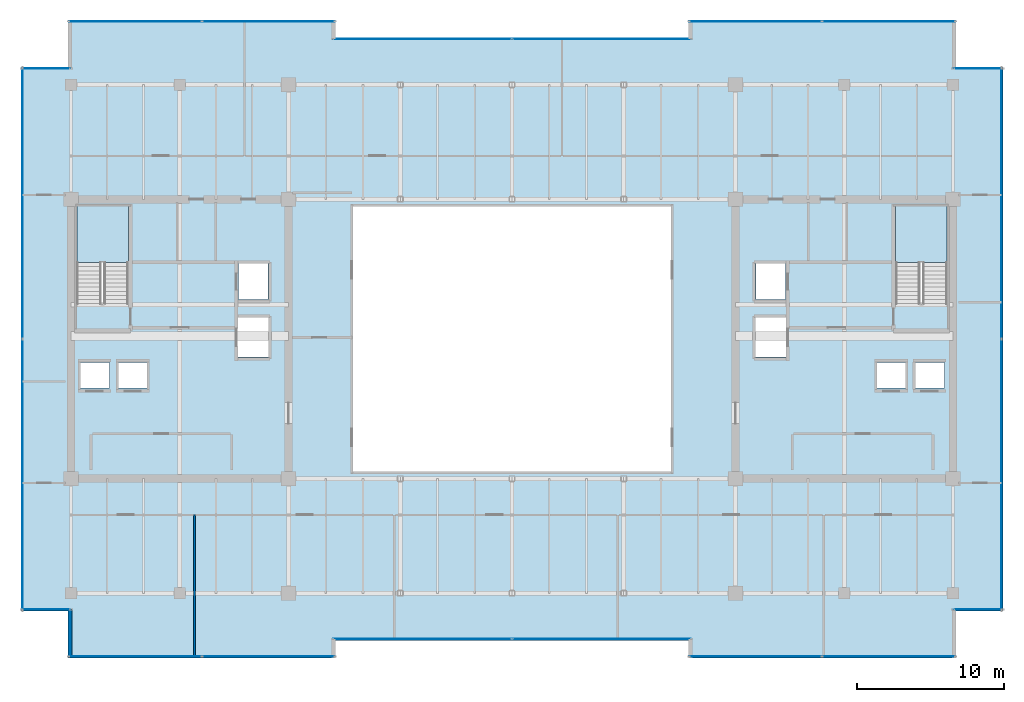
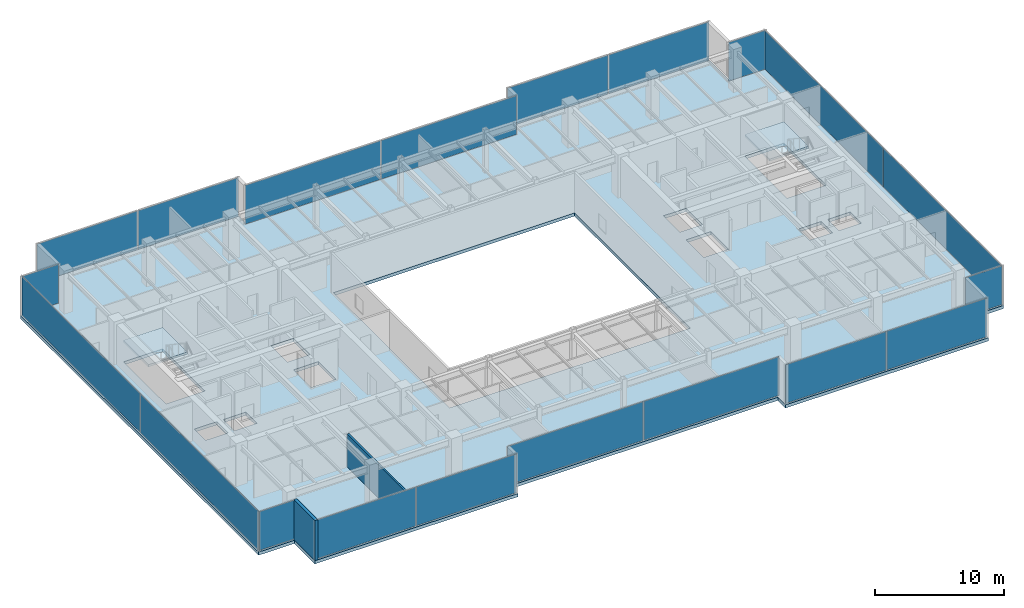
# One storey, part 27 of 33: 20 plates, 3 slabs, 2 walls, 14 elements without a shape of their own.
"""IFC4 building model written with IfcOpenShell, lengths in metres."""

from ifc_helpers import new_model, si_unit, direction, frame, frame_2d, origin, origin_2d, place, context, subcontext, project, spatial, polyline, rectangle, outline, extrude, source, transform, mapped, material, layer, layer_set, type_object, type_shapes, element, aggregate, save


model = new_model("IFC4")

# Units and contexts
model_context = context("Model", 3, precision=1e-05, world=origin(), true_north=direction((0.0, 1.0)))
body_context = subcontext(model_context, "Body", "Model", "MODEL_VIEW")
ifc_project = project(units=[si_unit("LENGTHUNIT", "METRE"), si_unit("AREAUNIT", "SQUARE_METRE"), si_unit("VOLUMEUNIT", "CUBIC_METRE"), si_unit("PLANEANGLEUNIT", "RADIAN"), si_unit("MASSUNIT", "GRAM", prefix="KILO")], contexts=[model_context])

# Site, building, storey
site_placement = place(None, origin())
site = spatial("IfcSite", under=ifc_project, at=site_placement, CompositionType="ELEMENT")
building_placement = place(site_placement, origin())
building = spatial("IfcBuilding", under=site, at=building_placement, Name="Haelvirn Gate Laboratories", CompositionType="ELEMENT")
storey_placement = place(building_placement, frame((0.0, 0.0, 279.300048828125)))
storey = spatial("IfcBuildingStorey", under=building, at=storey_placement, Name="L67", CompositionType="ELEMENT", Elevation=279.300048828125)

# Stair, slab
ifc_material_1 = material(Name="Concrete C40/50", Category="concrete")
stair_type = type_object("IfcStairType", Name="ST-DOG-1650-R22", PredefinedType="HALF_TURN_STAIR", material=ifc_material_1)
stair_1_placement = place(storey_placement, origin())
stair_1 = element("IfcStair", 1, at=stair_1_placement, inside=storey, type_object=stair_type, Name="L67 Escape Stair ST1", PredefinedType="HALF_TURN_STAIR")
ifc_layer_1 = layer(ifc_material_1, 0.199951171875, Name="SL-STAIR-LND")
ifc_layer_set_1 = layer_set([ifc_layer_1], Name="Concrete C40/50")
slab_type_1 = type_object("IfcSlabType", Name="SL-STAIR-LND", PredefinedType="LANDING", material=ifc_layer_set_1)
slab_1_placement = place(storey_placement, frame((0.0, 0.0, 1.849853515625)))
slab_1 = element("IfcSlab", 2, at=slab_1_placement, type_object=slab_type_1, Name="ST1 landing 1", PredefinedType="LANDING", context=body_context, shape_type="SweptSolid", body=[
    extrude(outline(polyline([(11.300048828125, 29.5), (11.300048828125, 33.35009765625), (7.800048828125, 33.35009765625), (7.800048828125, 29.5), (11.300048828125, 29.5)])), origin(), (0.0, 0.0, 1.0), 0.2001953125),
])
aggregate(stair_1, [slab_1])

stair_2_placement = place(storey_placement, origin())
stair_2 = element("IfcStair", 3, at=stair_2_placement, inside=storey, type_object=stair_type, Name="L67 Escape Stair ST2", PredefinedType="HALF_TURN_STAIR")
slab_2_placement = place(storey_placement, frame((0.0, 0.0, 1.849853515625)))
slab_2 = element("IfcSlab", 4, at=slab_2_placement, type_object=slab_type_1, Name="ST2 landing 1", PredefinedType="LANDING", context=body_context, shape_type="SweptSolid", body=[
    extrude(outline(polyline([(67.0, 29.5), (67.0, 33.35009765625), (63.5, 33.35009765625), (63.5, 29.5), (67.0, 29.5)])), origin(), (0.0, 0.0, 1.0), 0.2001953125),
])
aggregate(stair_2, [slab_2])

# Slab
ifc_layer_2 = layer(ifc_material_1, 0.300048828125, Name="SL-Z3-300")
ifc_layer_set_2 = layer_set([ifc_layer_2], Name="Concrete C40/50")
slab_type_2 = type_object("IfcSlabType", Name="SL-Z3-300", PredefinedType="FLOOR", material=ifc_layer_set_2)
slab_3_placement = place(storey_placement, frame((0.0, 0.0, -0.300048828125)))
element("IfcSlab", 5, at=slab_3_placement, inside=storey, type_object=slab_type_2, Name="L67 Structural Slab MAIN", PredefinedType="FLOOR", context=body_context, shape_type="SweptSolid", body=[
    extrude(outline(polyline([(7.199951171875, 2.60009765625), (25.39990234375, 2.60009765625), (25.39990234375, 3.800048828125), (49.39990234375, 3.800048828125), (49.39990234375, 2.60009765625), (67.60009765625, 2.60009765625), (67.60009765625, 5.800048828125), (70.800048828125, 5.800048828125), (70.800048828125, 42.800048828125), (67.60009765625, 42.800048828125), (67.60009765625, 46.0), (49.39990234375, 46.0), (49.39990234375, 44.800048828125), (25.39990234375, 44.800048828125), (25.39990234375, 46.0), (7.199951171875, 46.0), (7.199951171875, 42.800048828125), (4.0, 42.800048828125), (4.0, 5.800048828125), (7.199951171875, 5.800048828125), (7.199951171875, 2.60009765625)]), holes=[polyline([(26.60009765625, 15.300048828125), (48.199951171875, 15.300048828125), (48.199951171875, 33.300048828125), (26.60009765625, 33.300048828125), (26.60009765625, 15.300048828125)]), polyline([(11.300048828125, 26.780029296875), (11.300048828125, 33.35009765625), (7.800048828125, 33.35009765625), (7.800048828125, 26.780029296875), (11.300048828125, 26.780029296875)]), polyline([(67.0, 26.780029296875), (67.0, 33.35009765625), (63.5, 33.35009765625), (63.5, 26.780029296875), (67.0, 26.780029296875)]), polyline([(7.989990234375, 20.969970703125), (10.010009765625, 20.969970703125), (10.010009765625, 22.7099609375), (7.989990234375, 22.7099609375), (7.989990234375, 20.969970703125)]), polyline([(10.590087890625, 20.969970703125), (12.610107421875, 20.969970703125), (12.610107421875, 22.7099609375), (10.590087890625, 22.7099609375), (10.590087890625, 20.969970703125)]), polyline([(18.7900390625, 26.969970703125), (20.81005859375, 26.969970703125), (20.81005859375, 29.510009765625), (18.7900390625, 29.510009765625), (18.7900390625, 26.969970703125)]), polyline([(18.68994140625, 23.070068359375), (20.909912109375, 23.070068359375), (20.909912109375, 25.81005859375), (18.68994140625, 25.81005859375), (18.68994140625, 23.070068359375)]), polyline([(64.7900390625, 20.969970703125), (66.81005859375, 20.969970703125), (66.81005859375, 22.7099609375), (64.7900390625, 22.7099609375), (64.7900390625, 20.969970703125)]), polyline([(62.18994140625, 20.969970703125), (64.2099609375, 20.969970703125), (64.2099609375, 22.7099609375), (62.18994140625, 22.7099609375), (62.18994140625, 20.969970703125)]), polyline([(53.989990234375, 26.969970703125), (56.010009765625, 26.969970703125), (56.010009765625, 29.510009765625), (53.989990234375, 29.510009765625), (53.989990234375, 26.969970703125)]), polyline([(53.889892578125, 23.070068359375), (56.110107421875, 23.070068359375), (56.110107421875, 25.81005859375), (53.889892578125, 25.81005859375), (53.889892578125, 23.070068359375)])]), origin(), (0.0, 0.0, 1.0), 0.300048828125),
])

# Curtain wall, plates
ifc_material_2 = material(Name="Anodised bronze unitised aluminium & triple low-E glass", Category="aluminium")
ifc_layer_3 = layer(ifc_material_2, 0.176025390625, Name="CW-SYS-4")
ifc_layer_set_3 = layer_set([ifc_layer_3], Name="Anodised bronze unitised aluminium & triple low-E glass")
curtain_wall_type_1 = type_object("IfcCurtainWallType", Name="CW-SYS-4", PredefinedType="NOTDEFINED", material=ifc_layer_set_3)
curtain_wall_1_placement = place(storey_placement, origin())
curtain_wall_1 = element("IfcCurtainWall", 6, at=curtain_wall_1_placement, inside=storey, type_object=curtain_wall_type_1, Name="L67 Unitised Curtain Wall CW-L67-P0-E00-1", PredefinedType="NOTDEFINED")
ifc_material_3 = material(Name="Acoustic laminated bronze triple IGU 36 mm", Category="glass")
ifc_layer_4 = layer(ifc_material_3, 0.035888671875, Name="CWP-IGU-36")
ifc_layer_set_4 = layer_set([ifc_layer_4], Name="Acoustic laminated bronze triple IGU 36 mm")
plate_type_1 = type_object("IfcPlateType", Name="CWP-IGU-36", PredefinedType="CURTAIN_PANEL", material=ifc_layer_set_4)
shared_shape_1 = source(origin(), body_context, "Body", "SweptSolid", [
    extrude(rectangle(XDim=8.9951171875, YDim=0.035888671875, at=origin_2d()), origin(), (0.0, 0.0, 1.0), 3.669921875),
])
plate_1_placement = place(storey_placement, frame((11.767578125, 2.699951171875, 0.06494140625), z_axis=(0.0, 0.0, 1.0), x_axis=(1.0, 0.0, 0.0)))
plate_1 = element("IfcPlate", 7, at=plate_1_placement, type_object=plate_type_1, Name="CW4 panel 1.1", PredefinedType="CURTAIN_PANEL", context=body_context, shape_type="MappedRepresentation", body=[
    mapped(shared_shape_1, transform((0.0, 0.0, 0.0), scale=1.0)),
])
plate_2_placement = place(storey_placement, frame((20.83251953125, 2.699951171875, 0.06494140625), z_axis=(0.0, 0.0, 1.0), x_axis=(1.0, 0.0, 0.0)))
plate_2 = element("IfcPlate", 8, at=plate_2_placement, type_object=plate_type_1, Name="CW4 panel 2.1", PredefinedType="CURTAIN_PANEL", context=body_context, shape_type="MappedRepresentation", body=[
    mapped(shared_shape_1, transform((0.0, 0.0, 0.0), scale=1.0)),
])
aggregate(curtain_wall_1, [plate_1, plate_2])

curtain_wall_2_placement = place(storey_placement, origin())
curtain_wall_2 = element("IfcCurtainWall", 9, at=curtain_wall_2_placement, inside=storey, type_object=curtain_wall_type_1, Name="L67 Unitised Curtain Wall CW-L67-P0-E04-1", PredefinedType="NOTDEFINED")
plate_3_placement = place(storey_placement, frame((53.967529296875, 2.699951171875, 0.06494140625), z_axis=(0.0, 0.0, 1.0), x_axis=(1.0, 0.0, 0.0)))
plate_3 = element("IfcPlate", 10, at=plate_3_placement, type_object=plate_type_1, Name="CW4 panel 1.1", PredefinedType="CURTAIN_PANEL", context=body_context, shape_type="MappedRepresentation", body=[
    mapped(shared_shape_1, transform((0.0, 0.0, 0.0), scale=1.0)),
])
plate_4_placement = place(storey_placement, frame((63.032470703125, 2.699951171875, 0.06494140625), z_axis=(0.0, 0.0, 1.0), x_axis=(1.0, 0.0, 0.0)))
plate_4 = element("IfcPlate", 11, at=plate_4_placement, type_object=plate_type_1, Name="CW4 panel 2.1", PredefinedType="CURTAIN_PANEL", context=body_context, shape_type="MappedRepresentation", body=[
    mapped(shared_shape_1, transform((0.0, 0.0, 0.0), scale=1.0)),
])
aggregate(curtain_wall_2, [plate_3, plate_4])

curtain_wall_3_placement = place(storey_placement, origin())
curtain_wall_3 = element("IfcCurtainWall", 12, at=curtain_wall_3_placement, inside=storey, type_object=curtain_wall_type_1, Name="L67 Unitised Curtain Wall CW-L67-P0-E10-1", PredefinedType="NOTDEFINED")
plate_5_placement = place(storey_placement, frame((53.967529296875, 45.89990234375, 0.06494140625), z_axis=(0.0, 0.0, 1.0), x_axis=(1.0, 0.0, 0.0)))
plate_5 = element("IfcPlate", 13, at=plate_5_placement, type_object=plate_type_1, Name="CW4 panel 1.1", PredefinedType="CURTAIN_PANEL", context=body_context, shape_type="MappedRepresentation", body=[
    mapped(shared_shape_1, transform((0.0, 0.0, 0.0), scale=1.0)),
])
plate_6_placement = place(storey_placement, frame((63.032470703125, 45.89990234375, 0.06494140625), z_axis=(0.0, 0.0, 1.0), x_axis=(1.0, 0.0, 0.0)))
plate_6 = element("IfcPlate", 14, at=plate_6_placement, type_object=plate_type_1, Name="CW4 panel 2.1", PredefinedType="CURTAIN_PANEL", context=body_context, shape_type="MappedRepresentation", body=[
    mapped(shared_shape_1, transform((0.0, 0.0, 0.0), scale=1.0)),
])
aggregate(curtain_wall_3, [plate_5, plate_6])

curtain_wall_4_placement = place(storey_placement, origin())
curtain_wall_4 = element("IfcCurtainWall", 15, at=curtain_wall_4_placement, inside=storey, type_object=curtain_wall_type_1, Name="L67 Unitised Curtain Wall CW-L67-P0-E14-1", PredefinedType="NOTDEFINED")
plate_7_placement = place(storey_placement, frame((11.767578125, 45.89990234375, 0.06494140625), z_axis=(0.0, 0.0, 1.0), x_axis=(1.0, 0.0, 0.0)))
plate_7 = element("IfcPlate", 16, at=plate_7_placement, type_object=plate_type_1, Name="CW4 panel 1.1", PredefinedType="CURTAIN_PANEL", context=body_context, shape_type="MappedRepresentation", body=[
    mapped(shared_shape_1, transform((0.0, 0.0, 0.0), scale=1.0)),
])
plate_8_placement = place(storey_placement, frame((20.83251953125, 45.89990234375, 0.06494140625), z_axis=(0.0, 0.0, 1.0), x_axis=(1.0, 0.0, 0.0)))
plate_8 = element("IfcPlate", 17, at=plate_8_placement, type_object=plate_type_1, Name="CW4 panel 2.1", PredefinedType="CURTAIN_PANEL", context=body_context, shape_type="MappedRepresentation", body=[
    mapped(shared_shape_1, transform((0.0, 0.0, 0.0), scale=1.0)),
])
aggregate(curtain_wall_4, [plate_7, plate_8])

curtain_wall_5_placement = place(storey_placement, origin())
curtain_wall_5 = element("IfcCurtainWall", 18, at=curtain_wall_5_placement, inside=storey, type_object=curtain_wall_type_1, Name="L67 Unitised Curtain Wall CW-L67-P0-E02-1", PredefinedType="NOTDEFINED")
shared_shape_2 = source(origin(), body_context, "Body", "SweptSolid", [
    extrude(rectangle(XDim=12.135009765625, YDim=0.035888671875, at=origin_2d()), origin(), (0.0, 0.0, 1.0), 3.669921875),
])
plate_9_placement = place(storey_placement, frame((31.297607421875, 3.89990234375, 0.06494140625), z_axis=(0.0, 0.0, 1.0), x_axis=(1.0, 0.0, 0.0)))
plate_9 = element("IfcPlate", 19, at=plate_9_placement, type_object=plate_type_1, Name="CW4 panel 1.1", PredefinedType="CURTAIN_PANEL", context=body_context, shape_type="MappedRepresentation", body=[
    mapped(shared_shape_2, transform((0.0, 0.0, 0.0), scale=1.0)),
])
plate_10_placement = place(storey_placement, frame((43.50244140625, 3.89990234375, 0.06494140625), z_axis=(0.0, 0.0, 1.0), x_axis=(1.0, 0.0, 0.0)))
plate_10 = element("IfcPlate", 20, at=plate_10_placement, type_object=plate_type_1, Name="CW4 panel 2.1", PredefinedType="CURTAIN_PANEL", context=body_context, shape_type="MappedRepresentation", body=[
    mapped(shared_shape_2, transform((0.0, 0.0, 0.0), scale=1.0)),
])
aggregate(curtain_wall_5, [plate_9, plate_10])

curtain_wall_6_placement = place(storey_placement, origin())
curtain_wall_6 = element("IfcCurtainWall", 21, at=curtain_wall_6_placement, inside=storey, type_object=curtain_wall_type_1, Name="L67 Unitised Curtain Wall CW-L67-P0-E12-1", PredefinedType="NOTDEFINED")
plate_11_placement = place(storey_placement, frame((31.297607421875, 44.699951171875, 0.06494140625), z_axis=(0.0, 0.0, 1.0), x_axis=(1.0, 0.0, 0.0)))
plate_11 = element("IfcPlate", 22, at=plate_11_placement, type_object=plate_type_1, Name="CW4 panel 1.1", PredefinedType="CURTAIN_PANEL", context=body_context, shape_type="MappedRepresentation", body=[
    mapped(shared_shape_2, transform((0.0, 0.0, 0.0), scale=1.0)),
])
plate_12_placement = place(storey_placement, frame((43.50244140625, 44.699951171875, 0.06494140625), z_axis=(0.0, 0.0, 1.0), x_axis=(1.0, 0.0, 0.0)))
plate_12 = element("IfcPlate", 23, at=plate_12_placement, type_object=plate_type_1, Name="CW4 panel 2.1", PredefinedType="CURTAIN_PANEL", context=body_context, shape_type="MappedRepresentation", body=[
    mapped(shared_shape_2, transform((0.0, 0.0, 0.0), scale=1.0)),
])
aggregate(curtain_wall_6, [plate_11, plate_12])

# Curtain wall, plate
ifc_layer_5 = layer(ifc_material_2, 0.181884765625, Name="CW-SYS-5")
ifc_layer_set_5 = layer_set([ifc_layer_5], Name="Anodised bronze unitised aluminium & triple low-E glass")
curtain_wall_type_2 = type_object("IfcCurtainWallType", Name="CW-SYS-5", PredefinedType="NOTDEFINED", material=ifc_layer_set_5)
curtain_wall_7_placement = place(storey_placement, origin())
curtain_wall_7 = element("IfcCurtainWall", 24, at=curtain_wall_7_placement, inside=storey, type_object=curtain_wall_type_2, Name="L67 Unitised Curtain Wall CW-L67-P0-E06-1", PredefinedType="NOTDEFINED")
ifc_material_4 = material(Name="Clear low-iron notched-corner triple IGU 42 mm", Category="glass")
ifc_layer_6 = layer(ifc_material_4, 0.0419921875, Name="CWP-NTC-42")
ifc_layer_set_6 = layer_set([ifc_layer_6], Name="Clear low-iron notched-corner triple IGU 42 mm")
plate_type_2 = type_object("IfcPlateType", Name="CWP-NTC-42", PredefinedType="CURTAIN_PANEL", material=ifc_layer_set_6)
shared_shape_3 = source(origin(), body_context, "Body", "SweptSolid", [
    extrude(rectangle(XDim=3.280029296875, YDim=0.0419921875, at=origin_2d()), origin(), (0.0, 0.0, 1.0), 3.669921875),
])
type_shapes(plate_type_2, [shared_shape_3])
plate_13_placement = place(storey_placement, frame((69.080078125, 5.89990234375, 0.06494140625), z_axis=(0.0, 0.0, 1.0), x_axis=(1.0, 0.0, 0.0)))
plate_13 = element("IfcPlate", 25, at=plate_13_placement, type_object=plate_type_2, Name="CW5 panel 1.1", PredefinedType="CURTAIN_PANEL", context=body_context, shape_type="MappedRepresentation", body=[
    mapped(shared_shape_3, transform((0.0, 0.0, 0.0), scale=1.0)),
])
aggregate(curtain_wall_7, [plate_13])

curtain_wall_8_placement = place(storey_placement, origin())
curtain_wall_8 = element("IfcCurtainWall", 26, at=curtain_wall_8_placement, inside=storey, type_object=curtain_wall_type_2, Name="L67 Unitised Curtain Wall CW-L67-P0-E08-1", PredefinedType="NOTDEFINED")
plate_14_placement = place(storey_placement, frame((69.080078125, 42.699951171875, 0.06494140625), z_axis=(0.0, 0.0, 1.0), x_axis=(1.0, 0.0, 0.0)))
plate_14 = element("IfcPlate", 27, at=plate_14_placement, type_object=plate_type_2, Name="CW5 panel 1.1", PredefinedType="CURTAIN_PANEL", context=body_context, shape_type="MappedRepresentation", body=[
    mapped(shared_shape_3, transform((0.0, 0.0, 0.0), scale=1.0)),
])
aggregate(curtain_wall_8, [plate_14])

curtain_wall_9_placement = place(storey_placement, origin())
curtain_wall_9 = element("IfcCurtainWall", 28, at=curtain_wall_9_placement, inside=storey, type_object=curtain_wall_type_2, Name="L67 Unitised Curtain Wall CW-L67-P0-E16-1", PredefinedType="NOTDEFINED")
plate_15_placement = place(storey_placement, frame((5.719970703125, 42.699951171875, 0.06494140625), z_axis=(0.0, 0.0, 1.0), x_axis=(1.0, 0.0, 0.0)))
plate_15 = element("IfcPlate", 29, at=plate_15_placement, type_object=plate_type_2, Name="CW5 panel 1.1", PredefinedType="CURTAIN_PANEL", context=body_context, shape_type="MappedRepresentation", body=[
    mapped(shared_shape_3, transform((0.0, 0.0, 0.0), scale=1.0)),
])
aggregate(curtain_wall_9, [plate_15])

curtain_wall_10_placement = place(storey_placement, origin())
curtain_wall_10 = element("IfcCurtainWall", 30, at=curtain_wall_10_placement, inside=storey, type_object=curtain_wall_type_2, Name="L67 Unitised Curtain Wall CW-L67-P0-E18-1", PredefinedType="NOTDEFINED")
plate_16_placement = place(storey_placement, frame((5.719970703125, 5.89990234375, 0.06494140625), z_axis=(0.0, 0.0, 1.0), x_axis=(1.0, 0.0, 0.0)))
plate_16 = element("IfcPlate", 31, at=plate_16_placement, type_object=plate_type_2, Name="CW5 panel 1.1", PredefinedType="CURTAIN_PANEL", context=body_context, shape_type="MappedRepresentation", body=[
    mapped(shared_shape_3, transform((0.0, 0.0, 0.0), scale=1.0)),
])
aggregate(curtain_wall_10, [plate_16])

# Curtain wall, plates
curtain_wall_11_placement = place(storey_placement, origin())
curtain_wall_11 = element("IfcCurtainWall", 32, at=curtain_wall_11_placement, inside=storey, type_object=curtain_wall_type_1, Name="L67 Unitised Curtain Wall CW-L67-P0-E07", PredefinedType="NOTDEFINED")
shared_shape_4 = source(origin(), body_context, "Body", "SweptSolid", [
    extrude(rectangle(XDim=18.39501953125, YDim=0.035888671875, at=origin_2d()), origin(), (0.0, 0.0, 1.0), 3.669921875),
])
type_shapes(plate_type_1, [shared_shape_1, shared_shape_2, shared_shape_4])
plate_17_placement = place(storey_placement, frame((70.699951171875, 15.0673828125, 0.06494140625), z_axis=(0.0, 0.0, 1.0), x_axis=(0.0, 1.0, 0.0)))
plate_17 = element("IfcPlate", 33, at=plate_17_placement, type_object=plate_type_1, Name="CW4 panel 1.1", PredefinedType="CURTAIN_PANEL", context=body_context, shape_type="MappedRepresentation", body=[
    mapped(shared_shape_4, transform((0.0, 0.0, 0.0), scale=1.0)),
])
plate_18_placement = place(storey_placement, frame((70.699951171875, 33.532470703125, 0.06494140625), z_axis=(0.0, 0.0, 1.0), x_axis=(0.0, 1.0, 0.0)))
plate_18 = element("IfcPlate", 34, at=plate_18_placement, type_object=plate_type_1, Name="CW4 panel 2.1", PredefinedType="CURTAIN_PANEL", context=body_context, shape_type="MappedRepresentation", body=[
    mapped(shared_shape_4, transform((0.0, 0.0, 0.0), scale=1.0)),
])
aggregate(curtain_wall_11, [plate_17, plate_18])

curtain_wall_12_placement = place(storey_placement, origin())
curtain_wall_12 = element("IfcCurtainWall", 35, at=curtain_wall_12_placement, inside=storey, type_object=curtain_wall_type_1, Name="L67 Unitised Curtain Wall CW-L67-P0-E17", PredefinedType="NOTDEFINED")
plate_19_placement = place(storey_placement, frame((4.10009765625, 33.532470703125, 0.06494140625), z_axis=(0.0, 0.0, 1.0), x_axis=(0.0, -1.0, 0.0)))
plate_19 = element("IfcPlate", 36, at=plate_19_placement, type_object=plate_type_1, Name="CW4 panel 1.1", PredefinedType="CURTAIN_PANEL", context=body_context, shape_type="MappedRepresentation", body=[
    mapped(shared_shape_4, transform((0.0, 0.0, 0.0), scale=1.0)),
])
plate_20_placement = place(storey_placement, frame((4.10009765625, 15.0673828125, 0.06494140625), z_axis=(0.0, 0.0, 1.0), x_axis=(0.0, -1.0, 0.0)))
plate_20 = element("IfcPlate", 37, at=plate_20_placement, type_object=plate_type_1, Name="CW4 panel 2.1", PredefinedType="CURTAIN_PANEL", context=body_context, shape_type="MappedRepresentation", body=[
    mapped(shared_shape_4, transform((0.0, 0.0, 0.0), scale=1.0)),
])
aggregate(curtain_wall_12, [plate_19, plate_20])

# Walls
ifc_material_5 = material(Name="Thermally-broken bronze aluminium rainscreen & mineral wool", Category="aluminium")
ifc_layer_7 = layer(ifc_material_5, 0.280029296875, Name="EW-TERR-280")
ifc_layer_set_7 = layer_set([ifc_layer_7], Name="Thermally-broken bronze aluminium rainscreen & mineral wool")
wall_type_1 = type_object("IfcWallType", Name="EW-TERR-280", PredefinedType="STANDARD", material=ifc_layer_set_7)
wall_1_placement = place(storey_placement, frame((7.340087890625, 5.887939453125, 0.0), z_axis=(0.0, 0.0, 1.0), x_axis=(0.0, -1.0, 0.0)))
element("IfcWall", 38, at=wall_1_placement, inside=storey, type_object=wall_type_1, Name="L67 Atrium Recess Bronze Return Wall 19", PredefinedType="STANDARD", context=body_context, shape_type="SweptSolid", body=[
    extrude(rectangle(XDim=3.287841796875, YDim=0.280029296875, at=frame_2d((1.64404296875, 0.0))), origin(), (0.0, 0.0, 1.0), 3.800048828125),
])
ifc_material_6 = material(Name="Double-layer acoustic gypsum laboratory partition", Category="gypsum")
ifc_layer_8 = layer(ifc_material_6, 0.159912109375, Name="IW-ACOUST-160")
ifc_layer_set_8 = layer_set([ifc_layer_8], Name="Double-layer acoustic gypsum laboratory partition")
wall_type_2 = type_object("IfcWallType", Name="IW-ACOUST-160", PredefinedType="PARTITIONING", material=ifc_layer_set_8)
wall_2_placement = place(storey_placement, frame((15.800048828125, 2.7099609375, 0.0), z_axis=(0.0, 0.0, 1.0), x_axis=(0.0, 1.0, 0.0)))
element("IfcWall", 39, at=wall_2_placement, inside=storey, type_object=wall_type_2, Name="L67 Interior Wall IW-L67-SDIV-01", PredefinedType="PARTITIONING", context=body_context, shape_type="SweptSolid", body=[
    extrude(rectangle(XDim=9.630126953125, YDim=0.159912109375, at=frame_2d((4.81494140625, 0.0))), origin(), (0.0, 0.0, 1.0), 3.135009765625),
])

save(model, "model.ifc")
